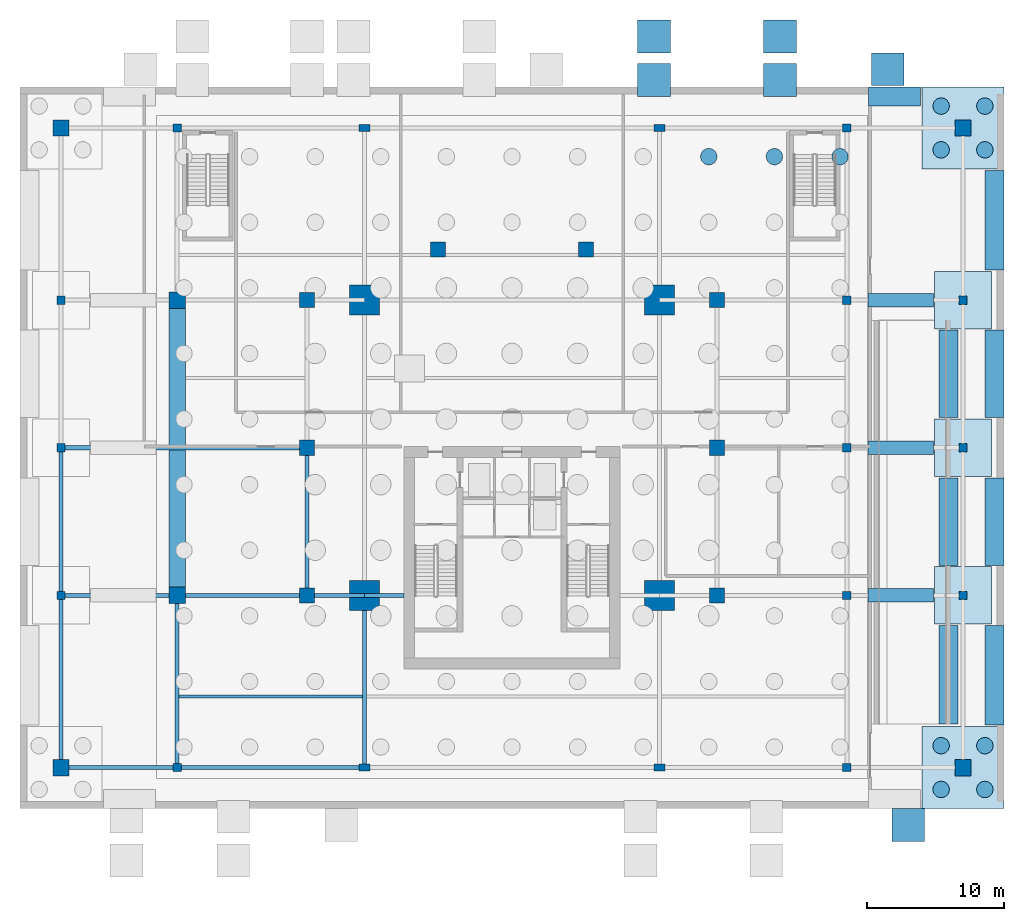
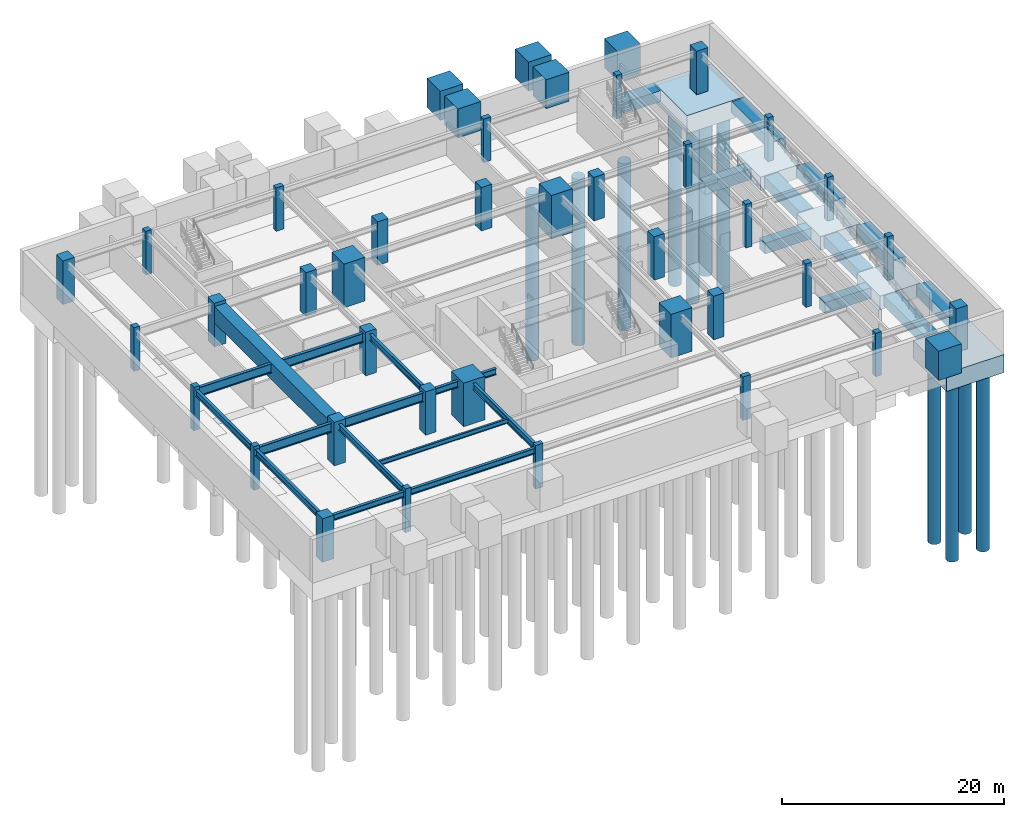
# One storey, part 2 of 9: 35 columns, 22 footings, 13 beams, 11 piles.
"""IFC4 building model written with IfcOpenShell, lengths in metres."""

import ifcopenshell
import ifcopenshell.guid

model = None  # the IFC model being written
_history = None  # IfcOwnerHistory: only IFC2X3 demands one
_inside = {}  # id of a spatial element -> (the spatial element, [elements in it])
_under = {}  # id of a project, library or spatial element -> (it, [spatial elements below it])
_declared = {}  # id of a project -> (the project, [libraries it declares])
_typed = {}  # id of a type object -> (the type object, [elements of that type])
_made_of = {}  # id of a material, layer set ... -> (it, [elements and type objects made of it])


def new_model(schema):
    """Start an empty IFC model of exactly this schema.

    Asked for "IFC4X3", IfcOpenShell would pick the latest addendum, in which some entities
    have other attributes; the version numbers below select the first issue.
    IFC2X3 requires an IfcOwnerHistory on every rooted entity: one is made here for all.
    """
    global model, _history
    if schema == "IFC4X3":
        model = ifcopenshell.file(schema_version=(4, 3, 0, 0))
    else:
        model = ifcopenshell.file(schema=schema)
    _inside.clear()
    _under.clear()
    _declared.clear()
    _typed.clear()
    _made_of.clear()
    _history = None
    if model.schema == "IFC2X3":
        org = make("IfcOrganization", Name="unknown")
        user = make(
            "IfcPersonAndOrganization",
            ThePerson=make("IfcPerson", FamilyName="unknown"),
            TheOrganization=org,
        )
        app = make(
            "IfcApplication",
            ApplicationDeveloper=org,
            Version="unknown",
            ApplicationFullName="unknown",
            ApplicationIdentifier="unknown",
        )
        _history = make(
            "IfcOwnerHistory",
            OwningUser=user,
            OwningApplication=app,
            ChangeAction="ADDED",
            CreationDate=0,
        )
    return model


def make(cls, **values):
    """One entity of the class cls with the attributes given. An attribute that is None is left unset."""
    return model.create_entity(
        cls, **{name: value for name, value in values.items() if value is not None}
    )


def rooted(cls, **values):
    """An entity with a GlobalId (a new one), such as an element, a storey or a relation."""
    return make(cls, GlobalId=ifcopenshell.guid.new(), OwnerHistory=_history, **values)


def si_unit(unit_type, name, prefix=None):
    """IfcSIUnit, for example si_unit("LENGTHUNIT", "METRE", prefix="MILLI")."""
    return make("IfcSIUnit", UnitType=unit_type, Prefix=prefix, Name=name)


def assignment(units):
    """IfcUnitAssignment: the units of a project."""
    return None if units is None else make("IfcUnitAssignment", Units=units)


def point(xyz):
    """IfcCartesianPoint."""
    return None if xyz is None else make("IfcCartesianPoint", Coordinates=xyz)


def direction(xyz):
    """IfcDirection."""
    return None if xyz is None else make("IfcDirection", DirectionRatios=xyz)


def frame(location, z_axis=None, x_axis=None):
    """IfcAxis2Placement3D, a coordinate frame: its origin and axes. An axis left out is left unset."""
    return make(
        "IfcAxis2Placement3D",
        Location=point(location),
        Axis=direction(z_axis),
        RefDirection=direction(x_axis),
    )


def frame_2d(location, x_axis=None):
    """IfcAxis2Placement2D, a coordinate frame in the plane: its origin and x axis."""
    return make(
        "IfcAxis2Placement2D", Location=point(location), RefDirection=direction(x_axis)
    )


def origin():
    """The frame at (0, 0, 0) with its axes left unset."""
    return frame((0.0, 0.0, 0.0))


def origin_2d():
    """The frame at (0, 0) in the plane with its x axis left unset."""
    return frame_2d((0.0, 0.0))


def place(relative_to, where):
    """IfcLocalPlacement: puts the frame where relative to a parent placement (None: the world)."""
    return make(
        "IfcLocalPlacement", PlacementRelTo=relative_to, RelativePlacement=where
    )


def context(
    kind, dimensions, precision=None, world=None, true_north=None, identifier=None
):
    """IfcGeometricRepresentationContext, for example the 3D "Model" context."""
    return make(
        "IfcGeometricRepresentationContext",
        ContextIdentifier=identifier,
        ContextType=kind,
        CoordinateSpaceDimension=dimensions,
        Precision=precision,
        WorldCoordinateSystem=world,
        TrueNorth=true_north,
    )


def subcontext(parent, identifier, kind, view, scale=None):
    """IfcGeometricRepresentationSubContext, for example "Body" below "Model"."""
    return make(
        "IfcGeometricRepresentationSubContext",
        ContextIdentifier=identifier,
        ContextType=kind,
        ParentContext=parent,
        TargetScale=scale,
        TargetView=view,
    )


def project(units=None, contexts=None):
    """IfcProject with its units and contexts."""
    return rooted(
        "IfcProject",
        Name="project",
        RepresentationContexts=contexts,
        UnitsInContext=assignment(units),
    )


def spatial(cls, under=None, at=None, **own):
    """A site, building, storey or space (cls), placed at a placement, below another one or the project."""
    s = rooted(cls, ObjectPlacement=at, **own)
    if under is not None:
        _under.setdefault(under.id(), (under, []))[1].append(s)
    return s


def profile(cls, at=None, kind="AREA", **sizes):
    """A parametric profile (cls). Its sizes go by their IFC names, for example OverallWidth=200.0."""
    return make(cls, ProfileType=kind, Position=at, **sizes)


def rectangle(**sizes):
    """IfcRectangleProfileDef."""
    return profile("IfcRectangleProfileDef", **sizes)


def circle(**sizes):
    """IfcCircleProfileDef."""
    return profile("IfcCircleProfileDef", **sizes)


def i_section(**sizes):
    """IfcIShapeProfileDef."""
    return profile("IfcIShapeProfileDef", **sizes)


def extrude(swept, where, along, depth):
    """IfcExtrudedAreaSolid: the profile swept, set in the frame where, extruded along a direction by depth."""
    return make(
        "IfcExtrudedAreaSolid",
        SweptArea=swept,
        Position=where,
        ExtrudedDirection=direction(along),
        Depth=depth,
    )


def shape(context_of_items, identifier, shape_type, items):
    """IfcShapeRepresentation: the items that make up one representation, for example the "Body"."""
    return make(
        "IfcShapeRepresentation",
        ContextOfItems=context_of_items,
        RepresentationIdentifier=identifier,
        RepresentationType=shape_type,
        Items=items,
    )


def source(mapping_origin, context_of_items, identifier, shape_type, items):
    """IfcRepresentationMap: a shape defined once, which mapped items show again and again."""
    return make(
        "IfcRepresentationMap",
        MappingOrigin=mapping_origin,
        MappedRepresentation=shape(context_of_items, identifier, shape_type, items),
    )


def transform(
    local_origin,
    x_axis=None,
    y_axis=None,
    z_axis=None,
    scale=None,
    scale2=None,
    scale3=None,
    uniform=True,
):
    """IfcCartesianTransformationOperator3D, or its non-uniform kind. x_axis, y_axis, z_axis: its Axis1, 2, 3."""
    if uniform:
        return make(
            "IfcCartesianTransformationOperator3D",
            Axis1=direction(x_axis),
            Axis2=direction(y_axis),
            LocalOrigin=point(local_origin),
            Scale=scale,
            Axis3=direction(z_axis),
        )
    return make(
        "IfcCartesianTransformationOperator3DnonUniform",
        Axis1=direction(x_axis),
        Axis2=direction(y_axis),
        LocalOrigin=point(local_origin),
        Scale=scale,
        Axis3=direction(z_axis),
        Scale2=scale2,
        Scale3=scale3,
    )


def mapped(mapping_source, mapping_target):
    """IfcMappedItem: shows the shape of a source again, moved by a transform."""
    return make(
        "IfcMappedItem", MappingSource=mapping_source, MappingTarget=mapping_target
    )


def material(Name=None, Category=None):
    """IfcMaterial."""
    return make("IfcMaterial", Name=Name, Category=Category)


def layer(
    of_material, thickness, ventilated=None, Name=None, Category=None, Priority=None
):
    """IfcMaterialLayer: one layer of a wall or slab, of a material (None: an air gap)."""
    return make(
        "IfcMaterialLayer",
        Material=of_material,
        LayerThickness=thickness,
        IsVentilated=ventilated,
        Name=Name,
        Category=Category,
        Priority=Priority,
    )


def layer_set(layers, Name=None):
    """IfcMaterialLayerSet."""
    return make("IfcMaterialLayerSet", MaterialLayers=layers, LayerSetName=Name)


def material_profile(
    of_material, cross_section, Name=None, Category=None, Priority=None
):
    """IfcMaterialProfile: a cross section and its material."""
    return make(
        "IfcMaterialProfile",
        Name=Name,
        Material=of_material,
        Profile=cross_section,
        Priority=Priority,
        Category=Category,
    )


def profile_set(profiles, Name=None, composite=None):
    """IfcMaterialProfileSet."""
    return make(
        "IfcMaterialProfileSet",
        Name=Name,
        MaterialProfiles=profiles,
        CompositeProfile=composite,
    )


def made_of(thing, what):
    """Note that an element or type object is made of a material, layer set ...; save() writes the relation."""
    if what is not None:
        _made_of.setdefault(what.id(), (what, []))[1].append(thing)
    return thing


def type_object(cls, material=None, **own):
    """A type object (cls), such as IfcWallType, which elements share."""
    return made_of(rooted(cls, **own), material)


def type_shapes(of_type, sources):
    """Give a type object the sources (RepresentationMaps) that its elements show as mapped items."""
    of_type.RepresentationMaps = sources


def element(
    cls,
    number,
    at=None,
    inside=None,
    cuts=None,
    type_object=None,
    material=None,
    context=None,
    identifier="Body",
    shape_type=None,
    held_by="IfcProductDefinitionShape",
    body=None,
    shapes=None,
    **own,
):
    """One element of the class cls, such as IfcWall. Its Tag is "e" and its number.

    at: its placement. inside: the storey or other place that contains it. cuts: it is an
    opening in that element (IfcRelVoidsElement). A single representation is given by context,
    identifier, shape_type and body (its items); several are given by shapes. held_by: the class
    of the entity that holds the representations. save() writes the other relations.
    """
    e = rooted(cls, Tag="e%d" % number, ObjectPlacement=at, **own)
    if body is not None:
        shapes = [shape(context, identifier, shape_type, body)]
    if shapes is not None:
        e.Representation = make(held_by, Representations=shapes)
    if inside is not None:
        _inside.setdefault(inside.id(), (inside, []))[1].append(e)
    if cuts is not None:
        rooted(
            "IfcRelVoidsElement", RelatingBuildingElement=cuts, RelatedOpeningElement=e
        )
    if type_object is not None:
        _typed.setdefault(type_object.id(), (type_object, []))[1].append(e)
    return made_of(e, material)


def aggregate(whole, parts):
    """IfcRelAggregates: a whole, such as a stair, and the parts it consists of."""
    return rooted("IfcRelAggregates", RelatingObject=whole, RelatedObjects=parts)


def save(model, path):
    """Write the relations noted so far, then the file.

    IfcRelAggregates (storeys below a building ...), IfcRelContainedInSpatialStructure (elements
    in a storey), IfcRelDefinesByType, IfcRelAssociatesMaterial and IfcRelDeclares: one each for
    every whole, place, type object, material and project.
    """
    for whole, parts in _under.values():
        aggregate(whole, parts)
    for where, things in _inside.values():
        rooted(
            "IfcRelContainedInSpatialStructure",
            RelatedElements=things,
            RelatingStructure=where,
        )
    for kind, things in _typed.values():
        rooted("IfcRelDefinesByType", RelatedObjects=things, RelatingType=kind)
    for what, things in _made_of.values():
        rooted("IfcRelAssociatesMaterial", RelatedObjects=things, RelatingMaterial=what)
    for by, libraries in _declared.values():
        rooted("IfcRelDeclares", RelatingContext=by, RelatedDefinitions=libraries)
    model.write(path)


model = new_model("IFC4")

# Units and contexts
model_context = context("Model", 3, precision=1e-05, world=origin(), true_north=direction((0.0, 1.0)))
body_context = subcontext(model_context, "Body", "Model", "MODEL_VIEW")
ifc_project = project(units=[si_unit("LENGTHUNIT", "METRE"), si_unit("AREAUNIT", "SQUARE_METRE"), si_unit("VOLUMEUNIT", "CUBIC_METRE"), si_unit("PLANEANGLEUNIT", "RADIAN"), si_unit("MASSUNIT", "GRAM", prefix="KILO")], contexts=[model_context])

# Site, building, storey
site_placement = place(None, origin())
site = spatial("IfcSite", under=ifc_project, at=site_placement, CompositionType="ELEMENT")
building_placement = place(site_placement, origin())
building = spatial("IfcBuilding", under=site, at=building_placement, Name="Krantzveldt Concourse Tower", CompositionType="ELEMENT")
storey_placement = place(building_placement, frame((0.0, 0.0, -4.800048828125)))
storey = spatial("IfcBuildingStorey", under=building, at=storey_placement, Name="B1", CompositionType="ELEMENT", Elevation=-4.800048828125)

# Footings
ifc_material_1 = material(Name="Concrete C60/75", Category="concrete")
ifc_layer_1 = layer(ifc_material_1, 2.0, Name="Concrete C60/75", Category="concrete")
ifc_layer_set_1 = layer_set([ifc_layer_1], Name="Concrete C60/75 (FT-CAP-6000)")
footing_type_1 = type_object("IfcFootingType", Name="FT-CAP-6000", PredefinedType="PILE_CAP", material=ifc_layer_set_1)
shared_shape_1 = source(origin(), body_context, "Body", "SweptSolid", [
    extrude(rectangle(XDim=6.0, YDim=6.0, at=origin_2d()), origin(), (0.0, 0.0, 1.0), 2.0),
])
type_shapes(footing_type_1, [shared_shape_1])
for number, where, z_axis, x_axis, name in (
    (1, (69.0, 3.300048828125, -2.0), (0.0, 0.0, 1.0), (1.0, 0.0, 0.0), "Podium Corner Pile Cap FT-CAP-SE"),
    (2, (69.0, 50.10009765625, -2.0), (0.0, 0.0, 1.0), (1.0, 0.0, 0.0), "Podium Corner Pile Cap FT-CAP-NE"),
):
    element("IfcFooting", number, at=place(storey_placement, frame(where, z_axis=z_axis, x_axis=x_axis)), inside=storey, type_object=footing_type_1, Name=name, PredefinedType="PILE_CAP", context=body_context, shape_type="MappedRepresentation", body=[
        mapped(shared_shape_1, transform((0.0, 0.0, 0.0), x_axis=(1.0, 0.0, 0.0), y_axis=(0.0, 1.0, 0.0), z_axis=(0.0, 0.0, 1.0), scale=1.0)),
    ])

# Piles
ifc_material_2 = material(Name="Concrete C50/60", Category="concrete")
ifc_material_profile_1 = material_profile(ifc_material_2, circle(Radius=0.60009765625, at=origin_2d()), Name="Concrete C50/60", Category="concrete")
ifc_profile_set_1 = profile_set([ifc_material_profile_1], Name="Concrete C50/60 - PILE D1200")
pile_type = type_object("IfcPileType", Name="PL-BORED-1200", PredefinedType="BORED", material=ifc_profile_set_1)
shared_shape_2 = source(origin(), body_context, "Body", "SweptSolid", [
    extrude(circle(Radius=0.60009765625, at=origin_2d()), origin(), (0.0, 0.0, 1.0), 19.85009765625),
])
for number, where, z_axis, x_axis, name in (
    (3, (67.39990234375, 1.699951171875, -1.849853515625), (0.0, 0.0, -1.0), (1.0, 0.0, 0.0), "Rock-Socketed Bored Pile FT-CAP-SE-1"),
    (4, (70.60009765625, 1.699951171875, -1.849853515625), (0.0, 0.0, -1.0), (1.0, 0.0, 0.0), "Rock-Socketed Bored Pile FT-CAP-SE-2"),
    (5, (70.60009765625, 4.89990234375, -1.849853515625), (0.0, 0.0, -1.0), (1.0, 0.0, 0.0), "Rock-Socketed Bored Pile FT-CAP-SE-3"),
    (6, (67.39990234375, 4.89990234375, -1.849853515625), (0.0, 0.0, -1.0), (1.0, 0.0, 0.0), "Rock-Socketed Bored Pile FT-CAP-SE-4"),
    (7, (67.39990234375, 48.5, -1.849853515625), (0.0, 0.0, -1.0), (1.0, 0.0, 0.0), "Rock-Socketed Bored Pile FT-CAP-NE-1"),
    (8, (70.60009765625, 48.5, -1.849853515625), (0.0, 0.0, -1.0), (1.0, 0.0, 0.0), "Rock-Socketed Bored Pile FT-CAP-NE-2"),
    (9, (70.60009765625, 51.699951171875, -1.849853515625), (0.0, 0.0, -1.0), (1.0, 0.0, 0.0), "Rock-Socketed Bored Pile FT-CAP-NE-3"),
    (10, (67.39990234375, 51.699951171875, -1.849853515625), (0.0, 0.0, -1.0), (1.0, 0.0, 0.0), "Rock-Socketed Bored Pile FT-CAP-NE-4"),
):
    element("IfcPile", number, at=place(storey_placement, frame(where, z_axis=z_axis, x_axis=x_axis)), inside=storey, type_object=pile_type, Name=name, PredefinedType="BORED", context=body_context, shape_type="MappedRepresentation", body=[
        mapped(shared_shape_2, transform((0.0, 0.0, 0.0), x_axis=(1.0, 0.0, 0.0), y_axis=(0.0, 1.0, 0.0), z_axis=(0.0, 0.0, 1.0), scale=1.0)),
    ])

# Footings
ifc_layer_2 = layer(ifc_material_2, 1.5, Name="Concrete C50/60", Category="concrete")
ifc_layer_set_2 = layer_set([ifc_layer_2], Name="Concrete C50/60 (FT-CAP-4800)")
footing_type_2 = type_object("IfcFootingType", Name="FT-CAP-4800", PredefinedType="PAD_FOOTING", material=ifc_layer_set_2)
shared_shape_3 = source(origin(), body_context, "Body", "SweptSolid", [
    extrude(rectangle(XDim=4.199951171875, YDim=4.199951171875, at=origin_2d()), origin(), (0.0, 0.0, 1.0), 1.5),
])
type_shapes(footing_type_2, [shared_shape_3])
for number, where, z_axis, x_axis, name in (
    (11, (69.0, 15.89990234375, -1.5), (0.0, 0.0, 1.0), (1.0, 0.0, 0.0), "Podium Pad Footing FT-PAD-E1"),
    (12, (69.0, 26.699951171875, -1.5), (0.0, 0.0, 1.0), (1.0, 0.0, 0.0), "Podium Pad Footing FT-PAD-E2"),
    (13, (69.0, 37.5, -1.5), (0.0, 0.0, 1.0), (1.0, 0.0, 0.0), "Podium Pad Footing FT-PAD-E3"),
):
    element("IfcFooting", number, at=place(storey_placement, frame(where, z_axis=z_axis, x_axis=x_axis)), inside=storey, type_object=footing_type_2, Name=name, PredefinedType="PAD_FOOTING", context=body_context, shape_type="MappedRepresentation", body=[
        mapped(shared_shape_3, transform((0.0, 0.0, 0.0), x_axis=(1.0, 0.0, 0.0), y_axis=(0.0, 1.0, 0.0), z_axis=(0.0, 0.0, 1.0), scale=1.0)),
    ])
ifc_material_3 = material(Name="Concrete C40/50", Category="concrete")
ifc_layer_3 = layer(ifc_material_3, 1.199951171875, Name="Concrete C40/50", Category="concrete")
ifc_layer_set_3 = layer_set([ifc_layer_3], Name="Concrete C40/50 (FT-PAD-2200)")
footing_type_3 = type_object("IfcFootingType", Name="FT-PAD-2200", PredefinedType="PAD_FOOTING", material=ifc_layer_set_3)
shared_shape_4 = source(origin(), body_context, "Body", "SweptSolid", [
    extrude(rectangle(XDim=2.39990234375, YDim=2.39990234375, at=origin_2d()), origin(), (0.0, 0.0, 1.0), 3.199951171875),
])
type_shapes(footing_type_3, [shared_shape_4])
for number, where, z_axis, x_axis, name in (
    (14, (46.39990234375, 56.800048828125, 1.60009765625), (0.0, 0.0, 1.0), (1.0, 0.0, 0.0), "Grade Support Pier Footing FT-CAN-N2W"),
    (15, (55.60009765625, 56.800048828125, 1.60009765625), (0.0, 0.0, 1.0), (1.0, 0.0, 0.0), "Grade Support Pier Footing FT-CAN-N2E"),
    (16, (46.39990234375, 53.60009765625, 1.60009765625), (0.0, 0.0, 1.0), (1.0, 0.0, 0.0), "Grade Support Pier Footing FT-CAN-N2WI"),
    (17, (55.60009765625, 53.60009765625, 1.60009765625), (0.0, 0.0, 1.0), (1.0, 0.0, 0.0), "Grade Support Pier Footing FT-CAN-N2EI"),
    (18, (63.5, 54.39990234375, 1.4501953125), (0.0, 0.0, 1.0), (1.0, 0.0, 0.0), "Grade Support Pier Footing FT-RMP-N2"),
    (19, (65.0, -0.89990234375, 1.4501953125), (0.0, 0.0, 1.0), (1.0, 0.0, 0.0), "Grade Support Pier Footing FT-RMP-S2"),
):
    element("IfcFooting", number, at=place(storey_placement, frame(where, z_axis=z_axis, x_axis=x_axis)), inside=storey, type_object=footing_type_3, Name=name, PredefinedType="PAD_FOOTING", context=body_context, shape_type="MappedRepresentation", body=[
        mapped(shared_shape_4, transform((0.0, 0.0, 0.0), x_axis=(1.0, 0.0, 0.0), y_axis=(0.0, 1.0, 0.0), z_axis=(0.0, 0.0, 1.0), scale=1.0)),
    ])
ifc_material_profile_2 = material_profile(ifc_material_2, rectangle(XDim=1.39990234375, YDim=1.199951171875, at=origin_2d()), Name="Concrete C50/60", Category="concrete")
ifc_profile_set_2 = profile_set([ifc_material_profile_2], Name="Concrete C50/60 - STRIP 1400x1200")
footing_type_4 = type_object("IfcFootingType", Name="FT-STRIP-1400", PredefinedType="STRIP_FOOTING", material=ifc_profile_set_2)
shared_shape_5 = source(origin(), body_context, "Body", "SweptSolid", [
    extrude(rectangle(XDim=1.39990234375, YDim=1.199951171875, at=origin_2d()), origin(), (0.0, 0.0, 1.0), 3.7998046875),
])
footing_1_placement = place(storey_placement, frame((62.10009765625, 52.39990234375, -0.599853515625), z_axis=(1.0, 0.0, 0.0), x_axis=(0.0, 1.0, 0.0)))
element("IfcFooting", 20, at=footing_1_placement, inside=storey, type_object=footing_type_4, Name="FS-N2", PredefinedType="STRIP_FOOTING", context=body_context, shape_type="MappedRepresentation", body=[
    mapped(shared_shape_5, transform((0.0, 0.0, 0.0), x_axis=(1.0, 0.0, 0.0), y_axis=(0.0, 1.0, 0.0), z_axis=(0.0, 0.0, 1.0), scale=1.0)),
])
shared_shape_6 = source(origin(), body_context, "Body", "SweptSolid", [
    extrude(rectangle(XDim=1.39990234375, YDim=1.199951171875, at=origin_2d()), origin(), (0.0, 0.0, 1.0), 7.300048828125),
])
for number, where, z_axis, x_axis, name in (
    (21, (71.300048828125, 6.39990234375, -0.599853515625), (0.0, 1.0, 0.0), (-1.0, 0.0, 0.0), "FS-E1"),
    (22, (71.300048828125, 39.699951171875, -0.599853515625), (0.0, 1.0, 0.0), (-1.0, 0.0, 0.0), "FS-E4"),
):
    element("IfcFooting", number, at=place(storey_placement, frame(where, z_axis=z_axis, x_axis=x_axis)), inside=storey, type_object=footing_type_4, Name=name, PredefinedType="STRIP_FOOTING", context=body_context, shape_type="MappedRepresentation", body=[
        mapped(shared_shape_6, transform((0.0, 0.0, 0.0), x_axis=(1.0, 0.0, 0.0), y_axis=(0.0, 1.0, 0.0), z_axis=(0.0, 0.0, 1.0), scale=1.0)),
    ])
shared_shape_7 = source(origin(), body_context, "Body", "SweptSolid", [
    extrude(rectangle(XDim=1.39990234375, YDim=1.199951171875, at=origin_2d()), origin(), (0.0, 0.0, 1.0), 6.39990234375),
])
for number, where, z_axis, x_axis, name in (
    (23, (71.300048828125, 18.10009765625, -0.599853515625), (0.0, 1.0, 0.0), (-1.0, 0.0, 0.0), "FS-E2"),
    (24, (67.949951171875, 18.10009765625, -0.599853515625), (0.0, 1.0, 0.0), (-1.0, 0.0, 0.0), "FS-VRE2"),
):
    element("IfcFooting", number, at=place(storey_placement, frame(where, z_axis=z_axis, x_axis=x_axis)), inside=storey, type_object=footing_type_4, Name=name, PredefinedType="STRIP_FOOTING", context=body_context, shape_type="MappedRepresentation", body=[
        mapped(shared_shape_7, transform((0.0, 0.0, 0.0), x_axis=(1.0, 0.0, 0.0), y_axis=(0.0, 1.0, 0.0), z_axis=(0.0, 0.0, 1.0), scale=1.0)),
    ])
shared_shape_8 = source(origin(), body_context, "Body", "SweptSolid", [
    extrude(rectangle(XDim=1.39990234375, YDim=1.199951171875, at=origin_2d()), origin(), (0.0, 0.0, 1.0), 6.400146484375),
])
for number, where, z_axis, x_axis, name in (
    (25, (71.300048828125, 28.89990234375, -0.599853515625), (0.0, 1.0, 0.0), (-1.0, 0.0, 0.0), "FS-E3"),
    (26, (67.949951171875, 28.89990234375, -0.599853515625), (0.0, 1.0, 0.0), (-1.0, 0.0, 0.0), "FS-VRE3"),
):
    element("IfcFooting", number, at=place(storey_placement, frame(where, z_axis=z_axis, x_axis=x_axis)), inside=storey, type_object=footing_type_4, Name=name, PredefinedType="STRIP_FOOTING", context=body_context, shape_type="MappedRepresentation", body=[
        mapped(shared_shape_8, transform((0.0, 0.0, 0.0), x_axis=(1.0, 0.0, 0.0), y_axis=(0.0, 1.0, 0.0), z_axis=(0.0, 0.0, 1.0), scale=1.0)),
    ])
shared_shape_9 = source(origin(), body_context, "Body", "SweptSolid", [
    extrude(rectangle(XDim=1.39990234375, YDim=1.199951171875, at=origin_2d()), origin(), (0.0, 0.0, 1.0), 7.199951171875),
])
type_shapes(footing_type_4, [shared_shape_5, shared_shape_6, shared_shape_7, shared_shape_8, shared_shape_9])
footing_2_placement = place(storey_placement, frame((67.949951171875, 6.5, -0.599853515625), z_axis=(0.0, 1.0, 0.0), x_axis=(-1.0, 0.0, 0.0)))
element("IfcFooting", 27, at=footing_2_placement, inside=storey, type_object=footing_type_4, Name="FS-VRE1", PredefinedType="STRIP_FOOTING", context=body_context, shape_type="MappedRepresentation", body=[
    mapped(shared_shape_9, transform((0.0, 0.0, 0.0), x_axis=(1.0, 0.0, 0.0), y_axis=(0.0, 1.0, 0.0), z_axis=(0.0, 0.0, 1.0), scale=1.0)),
])
ifc_material_profile_3 = material_profile(ifc_material_2, rectangle(XDim=1.0, YDim=1.199951171875, at=origin_2d()), Name="Concrete C50/60", Category="concrete")
ifc_profile_set_3 = profile_set([ifc_material_profile_3], Name="Concrete C50/60 - FBEAM 1000x1200")
footing_type_5 = type_object("IfcFootingType", Name="FT-GBEAM-1000", PredefinedType="FOOTING_BEAM", material=ifc_profile_set_3)
shared_shape_10 = source(origin(), body_context, "Body", "SweptSolid", [
    extrude(rectangle(XDim=1.0, YDim=1.199951171875, at=origin_2d()), origin(), (0.0, 0.0, 1.0), 4.800048828125),
])
type_shapes(footing_type_5, [shared_shape_10])
for number, where, z_axis, x_axis, name in (
    (28, (62.050048828125, 15.89990234375, -0.599853515625), (1.0, 0.0, 0.0), (0.0, 1.0, 0.0), "FB-E1"),
    (29, (62.050048828125, 26.699951171875, -0.599853515625), (1.0, 0.0, 0.0), (0.0, 1.0, 0.0), "FB-E2"),
    (30, (62.050048828125, 37.5, -0.599853515625), (1.0, 0.0, 0.0), (0.0, 1.0, 0.0), "FB-E3"),
):
    element("IfcFooting", number, at=place(storey_placement, frame(where, z_axis=z_axis, x_axis=x_axis)), inside=storey, type_object=footing_type_5, Name=name, PredefinedType="FOOTING_BEAM", context=body_context, shape_type="MappedRepresentation", body=[
        mapped(shared_shape_10, transform((0.0, 0.0, 0.0), x_axis=(1.0, 0.0, 0.0), y_axis=(0.0, 1.0, 0.0), z_axis=(0.0, 0.0, 1.0), scale=1.0)),
    ])

# Piles
shared_shape_11 = source(origin(), body_context, "Body", "SweptSolid", [
    extrude(circle(Radius=0.60009765625, at=origin_2d()), origin(), (0.0, 0.0, 1.0), 18.35009765625),
])
type_shapes(pile_type, [shared_shape_2, shared_shape_11])
for number, where, z_axis, x_axis, name in (
    (31, (50.39990234375, 48.0, -3.349853515625), (0.0, 0.0, -1.0), (1.0, 0.0, 0.0), "Rock-Socketed Bored Pile 90"),
    (32, (55.199951171875, 48.0, -3.349853515625), (0.0, 0.0, -1.0), (1.0, 0.0, 0.0), "Rock-Socketed Bored Pile 100"),
    (33, (60.0, 48.0, -3.349853515625), (0.0, 0.0, -1.0), (1.0, 0.0, 0.0), "Rock-Socketed Bored Pile 110"),
):
    element("IfcPile", number, at=place(storey_placement, frame(where, z_axis=z_axis, x_axis=x_axis)), inside=storey, type_object=pile_type, Name=name, PredefinedType="BORED", context=body_context, shape_type="MappedRepresentation", body=[
        mapped(shared_shape_11, transform((0.0, 0.0, 0.0), x_axis=(1.0, 0.0, 0.0), y_axis=(0.0, 1.0, 0.0), z_axis=(0.0, 0.0, 1.0), scale=1.0)),
    ])

# Columns
ifc_material_profile_4 = material_profile(ifc_material_1, rectangle(XDim=2.199951171875, YDim=2.199951171875, at=origin_2d()), Name="Concrete C60/75", Category="concrete")
ifc_profile_set_4 = profile_set([ifc_material_profile_4], Name="Concrete C60/75 - RC 2200x2200")
column_type_1 = type_object("IfcColumnType", Name="COL-MC-2200", PredefinedType="USERDEFINED", material=ifc_profile_set_4)
shared_shape_12 = source(origin(), body_context, "Body", "SweptSolid", [
    extrude(rectangle(XDim=2.199951171875, YDim=2.199951171875, at=origin_2d()), origin(), (0.0, 0.0, 1.0), 4.800048828125),
])
type_shapes(column_type_1, [shared_shape_12])
for number, where, z_axis, x_axis, name in (
    (34, (25.199951171875, 15.89990234375, 0.0), (0.0, 0.0, 1.0), (1.0, 0.0, 0.0), "MC-SW-B1"),
    (35, (46.800048828125, 15.89990234375, 0.0), (0.0, 0.0, 1.0), (1.0, 0.0, 0.0), "MC-SE-B1"),
    (36, (46.800048828125, 37.5, 0.0), (0.0, 0.0, 1.0), (1.0, 0.0, 0.0), "MC-NE-B1"),
    (37, (25.199951171875, 37.5, 0.0), (0.0, 0.0, 1.0), (1.0, 0.0, 0.0), "MC-NW-B1"),
):
    element("IfcColumn", number, at=place(storey_placement, frame(where, z_axis=z_axis, x_axis=x_axis)), inside=storey, type_object=column_type_1, Name=name, ObjectType="MEGA COLUMN", PredefinedType="USERDEFINED", context=body_context, shape_type="MappedRepresentation", body=[
        mapped(shared_shape_12, transform((0.0, 0.0, 0.0), x_axis=(1.0, 0.0, 0.0), y_axis=(0.0, 1.0, 0.0), z_axis=(0.0, 0.0, 1.0), scale=1.0)),
    ])
ifc_material_profile_5 = material_profile(ifc_material_1, rectangle(XDim=1.10009765625, YDim=1.10009765625, at=origin_2d()), Name="Concrete C60/75", Category="concrete")
ifc_profile_set_5 = profile_set([ifc_material_profile_5], Name="Concrete C60/75 - RC 1100x1100")
column_type_2 = type_object("IfcColumnType", Name="COL-C-Z1", PredefinedType="COLUMN", material=ifc_profile_set_5)
shared_shape_13 = source(origin(), body_context, "Body", "SweptSolid", [
    extrude(rectangle(XDim=1.10009765625, YDim=1.10009765625, at=origin_2d()), origin(), (0.0, 0.0, 1.0), 4.800048828125),
])
type_shapes(column_type_2, [shared_shape_13])
for number, where, z_axis, x_axis, name in (
    (38, (21.0, 15.89990234375, 0.0), (0.0, 0.0, 1.0), (1.0, 0.0, 0.0), "PC-R01-B1"),
    (39, (21.0, 26.699951171875, 0.0), (0.0, 0.0, 1.0), (1.0, 0.0, 0.0), "PC-R02-B1"),
    (40, (21.0, 37.5, 0.0), (0.0, 0.0, 1.0), (1.0, 0.0, 0.0), "PC-R03-B1"),
    (41, (30.60009765625, 41.199951171875, 0.0), (0.0, 0.0, 1.0), (1.0, 0.0, 0.0), "PC-R04-B1"),
    (42, (41.39990234375, 41.199951171875, 0.0), (0.0, 0.0, 1.0), (1.0, 0.0, 0.0), "PC-R05-B1"),
    (43, (51.0, 37.5, 0.0), (0.0, 0.0, 1.0), (1.0, 0.0, 0.0), "PC-R06-B1"),
    (44, (51.0, 26.699951171875, 0.0), (0.0, 0.0, 1.0), (1.0, 0.0, 0.0), "PC-R07-B1"),
    (45, (51.0, 15.89990234375, 0.0), (0.0, 0.0, 1.0), (1.0, 0.0, 0.0), "PC-R08-B1"),
):
    element("IfcColumn", number, at=place(storey_placement, frame(where, z_axis=z_axis, x_axis=x_axis)), inside=storey, type_object=column_type_2, Name=name, PredefinedType="COLUMN", context=body_context, shape_type="MappedRepresentation", body=[
        mapped(shared_shape_13, transform((0.0, 0.0, 0.0), x_axis=(1.0, 0.0, 0.0), y_axis=(0.0, 1.0, 0.0), z_axis=(0.0, 0.0, 1.0), scale=1.0)),
    ])
ifc_material_profile_6 = material_profile(ifc_material_3, rectangle(XDim=0.60009765625, YDim=0.60009765625, at=origin_2d()), Name="Concrete C40/50", Category="concrete")
ifc_profile_set_6 = profile_set([ifc_material_profile_6], Name="Concrete C40/50 - RC 600x600")
column_type_3 = type_object("IfcColumnType", Name="COL-C-POD", PredefinedType="COLUMN", material=ifc_profile_set_6)
shared_shape_14 = source(origin(), body_context, "Body", "SweptSolid", [
    extrude(rectangle(XDim=0.60009765625, YDim=0.60009765625, at=origin_2d()), origin(), (0.0, 0.0, 1.0), 4.800048828125),
])
type_shapes(column_type_3, [shared_shape_14])
for number, where, z_axis, x_axis, name in (
    (46, (3.0, 15.89990234375, 0.0), (0.0, 0.0, 1.0), (1.0, 0.0, 0.0), "PC-W1-B1"),
    (47, (3.0, 26.699951171875, 0.0), (0.0, 0.0, 1.0), (1.0, 0.0, 0.0), "PC-W2-B1"),
    (48, (3.0, 37.5, 0.0), (0.0, 0.0, 1.0), (1.0, 0.0, 0.0), "PC-W3-B1"),
    (49, (69.0, 15.89990234375, 0.0), (0.0, 0.0, 1.0), (1.0, 0.0, 0.0), "PC-E1-B1"),
    (50, (69.0, 26.699951171875, 0.0), (0.0, 0.0, 1.0), (1.0, 0.0, 0.0), "PC-E2-B1"),
    (51, (69.0, 37.5, 0.0), (0.0, 0.0, 1.0), (1.0, 0.0, 0.0), "PC-E3-B1"),
    (52, (11.5, 50.10009765625, 0.0), (0.0, 0.0, 1.0), (1.0, 0.0, 0.0), "PC-IW4-B1"),
    (53, (11.5, 3.300048828125, 0.0), (0.0, 0.0, 1.0), (1.0, 0.0, 0.0), "PC-IWS-B1"),
    (54, (60.5, 15.89990234375, 0.0), (0.0, 0.0, 1.0), (1.0, 0.0, 0.0), "PC-IE1-B1"),
    (55, (60.5, 26.699951171875, 0.0), (0.0, 0.0, 1.0), (1.0, 0.0, 0.0), "PC-IE2-B1"),
    (56, (60.5, 37.5, 0.0), (0.0, 0.0, 1.0), (1.0, 0.0, 0.0), "PC-IE3-B1"),
    (57, (60.5, 50.10009765625, 0.0), (0.0, 0.0, 1.0), (1.0, 0.0, 0.0), "PC-IE4-B1"),
    (58, (60.5, 3.300048828125, 0.0), (0.0, 0.0, 1.0), (1.0, 0.0, 0.0), "PC-IES-B1"),
):
    element("IfcColumn", number, at=place(storey_placement, frame(where, z_axis=z_axis, x_axis=x_axis)), inside=storey, type_object=column_type_3, Name=name, PredefinedType="COLUMN", context=body_context, shape_type="MappedRepresentation", body=[
        mapped(shared_shape_14, transform((0.0, 0.0, 0.0), x_axis=(1.0, 0.0, 0.0), y_axis=(0.0, 1.0, 0.0), z_axis=(0.0, 0.0, 1.0), scale=1.0)),
    ])
ifc_material_profile_7 = material_profile(ifc_material_2, rectangle(XDim=1.199951171875, YDim=1.199951171875, at=origin_2d()), Name="Concrete C50/60", Category="concrete")
ifc_profile_set_7 = profile_set([ifc_material_profile_7], Name="Concrete C50/60 - RC 1200x1200")
column_type_4 = type_object("IfcColumnType", Name="COL-MC-1200", PredefinedType="USERDEFINED", material=ifc_profile_set_7)
shared_shape_15 = source(origin(), body_context, "Body", "SweptSolid", [
    extrude(rectangle(XDim=1.199951171875, YDim=1.199951171875, at=origin_2d()), origin(), (0.0, 0.0, 1.0), 4.800048828125),
])
type_shapes(column_type_4, [shared_shape_15])
for number, where, z_axis, x_axis, name in (
    (59, (3.0, 3.300048828125, 0.0), (0.0, 0.0, 1.0), (1.0, 0.0, 0.0), "PC-SW-B1"),
    (60, (69.0, 3.300048828125, 0.0), (0.0, 0.0, 1.0), (1.0, 0.0, 0.0), "PC-SE-B1"),
    (61, (69.0, 50.10009765625, 0.0), (0.0, 0.0, 1.0), (1.0, 0.0, 0.0), "PC-NE-B1"),
    (62, (3.0, 50.10009765625, 0.0), (0.0, 0.0, 1.0), (1.0, 0.0, 0.0), "PC-NW-B1"),
    (63, (11.5, 15.89990234375, 0.0), (0.0, 0.0, 1.0), (1.0, 0.0, 0.0), "PC-IW1-B1"),
    (64, (11.5, 37.5, 0.0), (0.0, 0.0, 1.0), (1.0, 0.0, 0.0), "PC-IW3-B1"),
):
    element("IfcColumn", number, at=place(storey_placement, frame(where, z_axis=z_axis, x_axis=x_axis)), inside=storey, type_object=column_type_4, Name=name, ObjectType="MEGA COLUMN", PredefinedType="USERDEFINED", context=body_context, shape_type="MappedRepresentation", body=[
        mapped(shared_shape_15, transform((0.0, 0.0, 0.0), x_axis=(1.0, 0.0, 0.0), y_axis=(0.0, 1.0, 0.0), z_axis=(0.0, 0.0, 1.0), scale=1.0)),
    ])
ifc_material_profile_8 = material_profile(ifc_material_2, rectangle(XDim=0.800048828125, YDim=0.5, at=origin_2d()), Name="Concrete C50/60", Category="concrete")
ifc_profile_set_8 = profile_set([ifc_material_profile_8], Name="Concrete C50/60 - RC-PIL 800x500")
column_type_5 = type_object("IfcColumnType", Name="COL-PIL-800", PredefinedType="PILASTER", material=ifc_profile_set_8)
shared_shape_16 = source(origin(), body_context, "Body", "SweptSolid", [
    extrude(rectangle(XDim=0.800048828125, YDim=0.5, at=origin_2d()), origin(), (0.0, 0.0, 1.0), 4.800048828125),
])
type_shapes(column_type_5, [shared_shape_16])
for number, where, z_axis, x_axis, name in (
    (65, (25.199951171875, 3.300048828125, 0.0), (0.0, 0.0, 1.0), (1.0, 0.0, 0.0), "PC-PIL1-B1"),
    (66, (46.800048828125, 3.300048828125, 0.0), (0.0, 0.0, 1.0), (1.0, 0.0, 0.0), "PC-PIL2-B1"),
    (67, (25.199951171875, 50.10009765625, 0.0), (0.0, 0.0, 1.0), (1.0, 0.0, 0.0), "PC-PIL3-B1"),
    (68, (46.800048828125, 50.10009765625, 0.0), (0.0, 0.0, 1.0), (1.0, 0.0, 0.0), "PC-PIL4-B1"),
):
    element("IfcColumn", number, at=place(storey_placement, frame(where, z_axis=z_axis, x_axis=x_axis)), inside=storey, type_object=column_type_5, Name=name, PredefinedType="PILASTER", context=body_context, shape_type="MappedRepresentation", body=[
        mapped(shared_shape_16, transform((0.0, 0.0, 0.0), x_axis=(1.0, 0.0, 0.0), y_axis=(0.0, 1.0, 0.0), z_axis=(0.0, 0.0, 1.0), scale=1.0)),
    ])

# Beams
ifc_material_4 = material(Name="Steel S355JR", Category="steel")
ifc_material_profile_9 = material_profile(ifc_material_4, i_section(OverallWidth=0.300048828125, OverallDepth=0.68994140625, WebThickness=0.014404296875, FlangeThickness=0.027099609375, FilletRadius=0.027099609375, at=origin_2d()), Name="Steel S355JR", Category="steel")
ifc_profile_set_9 = profile_set([ifc_material_profile_9], Name="Steel S355JR - HEA 700")
beam_type_1 = type_object("IfcBeamType", Name="BM-B-HEA700", PredefinedType="BEAM", material=ifc_profile_set_9)
shared_shape_17 = source(origin(), body_context, "Body", "SweptSolid", [
    extrude(i_section(OverallWidth=0.300048828125, OverallDepth=0.68994140625, WebThickness=0.014404296875, FlangeThickness=0.027099609375, FilletRadius=0.027099609375, at=origin_2d()), origin(), (0.0, 0.0, 1.0), 10.800048828125),
])
for number, where, z_axis, x_axis, name in (
    (69, (21.0, 15.89990234375, 4.10498046875), (0.0, 1.0, 0.0), (-1.0, 0.0, 0.0), "B1 Podium Primary Girder BG-RW1"),
    (70, (3.0, 15.89990234375, 4.10498046875), (0.0, 1.0, 0.0), (-1.0, 0.0, 0.0), "B1 Podium Primary Girder BG-OW2"),
):
    element("IfcBeam", number, at=place(storey_placement, frame(where, z_axis=z_axis, x_axis=x_axis)), inside=storey, type_object=beam_type_1, Name=name, PredefinedType="BEAM", context=body_context, shape_type="MappedRepresentation", body=[
        mapped(shared_shape_17, transform((0.0, 0.0, 0.0), x_axis=(1.0, 0.0, 0.0), y_axis=(0.0, 1.0, 0.0), z_axis=(0.0, 0.0, 1.0), scale=1.0)),
    ])
ifc_material_5 = material(Name="Steel S355J2", Category="steel")
ifc_material_profile_10 = material_profile(ifc_material_5, i_section(OverallWidth=0.300048828125, OverallDepth=0.699951171875, WebThickness=0.01708984375, FlangeThickness=0.031982421875, FilletRadius=0.027099609375, at=origin_2d()), Name="Steel S355J2", Category="steel")
ifc_profile_set_10 = profile_set([ifc_material_profile_10], Name="Steel S355J2 - HEB 700")
beam_type_2 = type_object("IfcBeamType", Name="BM-B-HEB700", PredefinedType="BEAM", material=ifc_profile_set_10)
shared_shape_18 = source(origin(), body_context, "Body", "SweptSolid", [
    extrude(i_section(OverallWidth=0.300048828125, OverallDepth=0.699951171875, WebThickness=0.01708984375, FlangeThickness=0.031982421875, FilletRadius=0.027099609375, at=origin_2d()), origin(), (0.0, 0.0, 1.0), 4.199951171875),
])
beam_1_placement = place(storey_placement, frame((21.0, 15.89990234375, 4.10009765625), z_axis=(1.0, 0.0, 0.0), x_axis=(0.0, 1.0, 0.0)))
element("IfcBeam", 71, at=beam_1_placement, inside=storey, type_object=beam_type_2, Name="B1 Podium Primary Girder BG-RL1", PredefinedType="BEAM", context=body_context, shape_type="MappedRepresentation", body=[
    mapped(shared_shape_18, transform((0.0, 0.0, 0.0), x_axis=(1.0, 0.0, 0.0), y_axis=(0.0, 1.0, 0.0), z_axis=(0.0, 0.0, 1.0), scale=1.0)),
])
shared_shape_19 = source(origin(), body_context, "Body", "SweptSolid", [
    extrude(i_section(OverallWidth=0.300048828125, OverallDepth=0.699951171875, WebThickness=0.01708984375, FlangeThickness=0.031982421875, FilletRadius=0.027099609375, at=origin_2d()), origin(), (0.0, 0.0, 1.0), 2.880126953125),
])
type_shapes(beam_type_2, [shared_shape_18, shared_shape_19])
beam_2_placement = place(storey_placement, frame((25.199951171875, 15.89990234375, 4.10009765625), z_axis=(1.0, 0.0, 0.0), x_axis=(0.0, 1.0, 0.0)))
element("IfcBeam", 72, at=beam_2_placement, inside=storey, type_object=beam_type_2, Name="B1 Podium Primary Girder BG-CW", PredefinedType="BEAM", context=body_context, shape_type="MappedRepresentation", body=[
    mapped(shared_shape_19, transform((0.0, 0.0, 0.0), x_axis=(1.0, 0.0, 0.0), y_axis=(0.0, 1.0, 0.0), z_axis=(0.0, 0.0, 1.0), scale=1.0)),
])
shared_shape_20 = source(origin(), body_context, "Body", "SweptSolid", [
    extrude(i_section(OverallWidth=0.300048828125, OverallDepth=0.68994140625, WebThickness=0.014404296875, FlangeThickness=0.027099609375, FilletRadius=0.027099609375, at=origin_2d()), origin(), (0.0, 0.0, 1.0), 12.599853515625),
])
type_shapes(beam_type_1, [shared_shape_17, shared_shape_20])
for number, where, z_axis, x_axis, name in (
    (73, (25.199951171875, 3.300048828125, 4.10498046875), (0.0, 1.0, 0.0), (-1.0, 0.0, 0.0), "B1 Podium Primary Girder BG-PS1"),
    (74, (11.5, 3.300048828125, 4.10498046875), (0.0, 1.0, 0.0), (-1.0, 0.0, 0.0), "B1 Podium Primary Girder BG-IW-1"),
    (75, (3.0, 3.300048828125, 4.10498046875), (0.0, 1.0, 0.0), (-1.0, 0.0, 0.0), "B1 Podium Primary Girder BG-OW1"),
):
    element("IfcBeam", number, at=place(storey_placement, frame(where, z_axis=z_axis, x_axis=x_axis)), inside=storey, type_object=beam_type_1, Name=name, PredefinedType="BEAM", context=body_context, shape_type="MappedRepresentation", body=[
        mapped(shared_shape_20, transform((0.0, 0.0, 0.0), x_axis=(1.0, 0.0, 0.0), y_axis=(0.0, 1.0, 0.0), z_axis=(0.0, 0.0, 1.0), scale=1.0)),
    ])
ifc_material_profile_11 = material_profile(ifc_material_4, i_section(OverallWidth=0.300048828125, OverallDepth=0.639892578125, WebThickness=0.013427734375, FlangeThickness=0.02587890625, FilletRadius=0.027099609375, at=origin_2d()), Name="Steel S355JR", Category="steel")
ifc_profile_set_11 = profile_set([ifc_material_profile_11], Name="Steel S355JR - HEA 650")
beam_type_3 = type_object("IfcBeamType", Name="BM-B-HEA650", PredefinedType="BEAM", material=ifc_profile_set_11)
shared_shape_21 = source(origin(), body_context, "Body", "SweptSolid", [
    extrude(i_section(OverallWidth=0.300048828125, OverallDepth=0.639892578125, WebThickness=0.013427734375, FlangeThickness=0.02587890625, FilletRadius=0.027099609375, at=origin_2d()), origin(), (0.0, 0.0, 1.0), 13.699951171875),
])
beam_3_placement = place(storey_placement, frame((11.5, 3.300048828125, 4.130126953125), z_axis=(1.0, 0.0, 0.0), x_axis=(0.0, 1.0, 0.0)))
element("IfcBeam", 76, at=beam_3_placement, inside=storey, type_object=beam_type_3, Name="B1 Podium Primary Girder BG-SN1", PredefinedType="BEAM", context=body_context, shape_type="MappedRepresentation", body=[
    mapped(shared_shape_21, transform((0.0, 0.0, 0.0), x_axis=(1.0, 0.0, 0.0), y_axis=(0.0, 1.0, 0.0), z_axis=(0.0, 0.0, 1.0), scale=1.0)),
])
ifc_material_profile_12 = material_profile(ifc_material_1, rectangle(XDim=1.199951171875, YDim=1.800048828125, at=origin_2d()), Name="Concrete C60/75", Category="concrete")
ifc_profile_set_12 = profile_set([ifc_material_profile_12], Name="Concrete C60/75 - RC-TB 1200x1800")
beam_type_4 = type_object("IfcBeamType", Name="BM-RCTB-1800", PredefinedType="USERDEFINED", material=ifc_profile_set_12)
shared_shape_22 = source(origin(), body_context, "Body", "SweptSolid", [
    extrude(rectangle(XDim=1.199951171875, YDim=1.800048828125, at=origin_2d()), origin(), (0.0, 0.0, 1.0), 21.60009765625),
])
type_shapes(beam_type_4, [shared_shape_22])
beam_4_placement = place(storey_placement, frame((11.5, 15.89990234375, 3.550048828125), z_axis=(0.0, 1.0, 0.0), x_axis=(-1.0, 0.0, 0.0)))
element("IfcBeam", 77, at=beam_4_placement, inside=storey, type_object=beam_type_4, Name="B1 Podium Primary Girder BG-IW-2", ObjectType="TRANSFER GIRDER", PredefinedType="USERDEFINED", context=body_context, shape_type="MappedRepresentation", body=[
    mapped(shared_shape_22, transform((0.0, 0.0, 0.0), x_axis=(1.0, 0.0, 0.0), y_axis=(0.0, 1.0, 0.0), z_axis=(0.0, 0.0, 1.0), scale=1.0)),
])
shared_shape_23 = source(origin(), body_context, "Body", "SweptSolid", [
    extrude(i_section(OverallWidth=0.300048828125, OverallDepth=0.639892578125, WebThickness=0.013427734375, FlangeThickness=0.02587890625, FilletRadius=0.027099609375, at=origin_2d()), origin(), (0.0, 0.0, 1.0), 8.5),
])
type_shapes(beam_type_3, [shared_shape_21, shared_shape_23])
beam_5_placement = place(storey_placement, frame((3.0, 3.300048828125, 4.130126953125), z_axis=(1.0, 0.0, 0.0), x_axis=(0.0, 1.0, 0.0)))
element("IfcBeam", 78, at=beam_5_placement, inside=storey, type_object=beam_type_3, Name="B1 Podium Primary Girder BG-OWS", PredefinedType="BEAM", context=body_context, shape_type="MappedRepresentation", body=[
    mapped(shared_shape_23, transform((0.0, 0.0, 0.0), x_axis=(1.0, 0.0, 0.0), y_axis=(0.0, 1.0, 0.0), z_axis=(0.0, 0.0, 1.0), scale=1.0)),
])
ifc_material_profile_13 = material_profile(ifc_material_5, i_section(OverallWidth=0.300048828125, OverallDepth=1.0, WebThickness=0.01904296875, FlangeThickness=0.035888671875, FilletRadius=0.030029296875, at=origin_2d()), Name="Steel S355J2", Category="steel")
ifc_profile_set_13 = profile_set([ifc_material_profile_13], Name="Steel S355J2 - HEB 1000")
beam_type_5 = type_object("IfcBeamType", Name="BM-B-HEB1000", PredefinedType="BEAM", material=ifc_profile_set_13)
shared_shape_24 = source(origin(), body_context, "Body", "SweptSolid", [
    extrude(i_section(OverallWidth=0.300048828125, OverallDepth=1.0, WebThickness=0.01904296875, FlangeThickness=0.035888671875, FilletRadius=0.030029296875, at=origin_2d()), origin(), (0.0, 0.0, 1.0), 18.0),
])
type_shapes(beam_type_5, [shared_shape_24])
for number, where, z_axis, x_axis, name in (
    (79, (3.0, 15.89990234375, 3.949951171875), (1.0, 0.0, 0.0), (0.0, 1.0, 0.0), "B1 Podium Primary Girder BG-AUD-1"),
    (80, (3.0, 26.699951171875, 3.949951171875), (1.0, 0.0, 0.0), (0.0, 1.0, 0.0), "B1 Podium Primary Girder BG-AUD-2"),
):
    element("IfcBeam", number, at=place(storey_placement, frame(where, z_axis=z_axis, x_axis=x_axis)), inside=storey, type_object=beam_type_5, Name=name, PredefinedType="BEAM", context=body_context, shape_type="MappedRepresentation", body=[
        mapped(shared_shape_24, transform((0.0, 0.0, 0.0), x_axis=(1.0, 0.0, 0.0), y_axis=(0.0, 1.0, 0.0), z_axis=(0.0, 0.0, 1.0), scale=1.0)),
    ])
ifc_material_profile_14 = material_profile(ifc_material_4, i_section(OverallWidth=0.199951171875, OverallDepth=0.5, WebThickness=0.01025390625, FlangeThickness=0.01611328125, FilletRadius=0.02099609375, at=origin_2d()), Name="Steel S355JR", Category="steel")
ifc_profile_set_14 = profile_set([ifc_material_profile_14], Name="Steel S355JR - IPE 500")
beam_type_6 = type_object("IfcBeamType", Name="BM-J-IPE500", PredefinedType="JOIST", material=ifc_profile_set_14)
shared_shape_25 = source(origin(), body_context, "Body", "SweptSolid", [
    extrude(i_section(OverallWidth=0.199951171875, OverallDepth=0.5, WebThickness=0.01025390625, FlangeThickness=0.01611328125, FilletRadius=0.02099609375, at=origin_2d()), origin(), (0.0, 0.0, 1.0), 13.400146484375),
])
type_shapes(beam_type_6, [shared_shape_25])
beam_6_placement = place(storey_placement, frame((11.64990234375, 8.5, 4.199951171875), z_axis=(1.0, 0.0, 0.0), x_axis=(0.0, 1.0, 0.0)))
element("IfcBeam", 81, at=beam_6_placement, inside=storey, type_object=beam_type_6, Name="B1 West Inner Joist 1", PredefinedType="JOIST", context=body_context, shape_type="MappedRepresentation", body=[
    mapped(shared_shape_25, transform((0.0, 0.0, 0.0), x_axis=(1.0, 0.0, 0.0), y_axis=(0.0, 1.0, 0.0), z_axis=(0.0, 0.0, 1.0), scale=1.0)),
])

save(model, "model.ifc")
